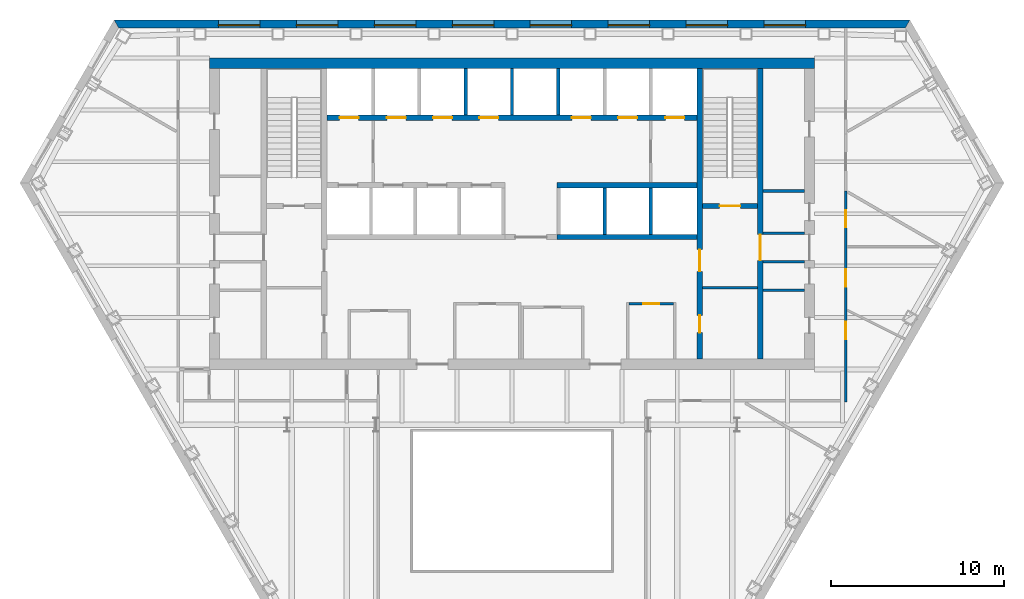
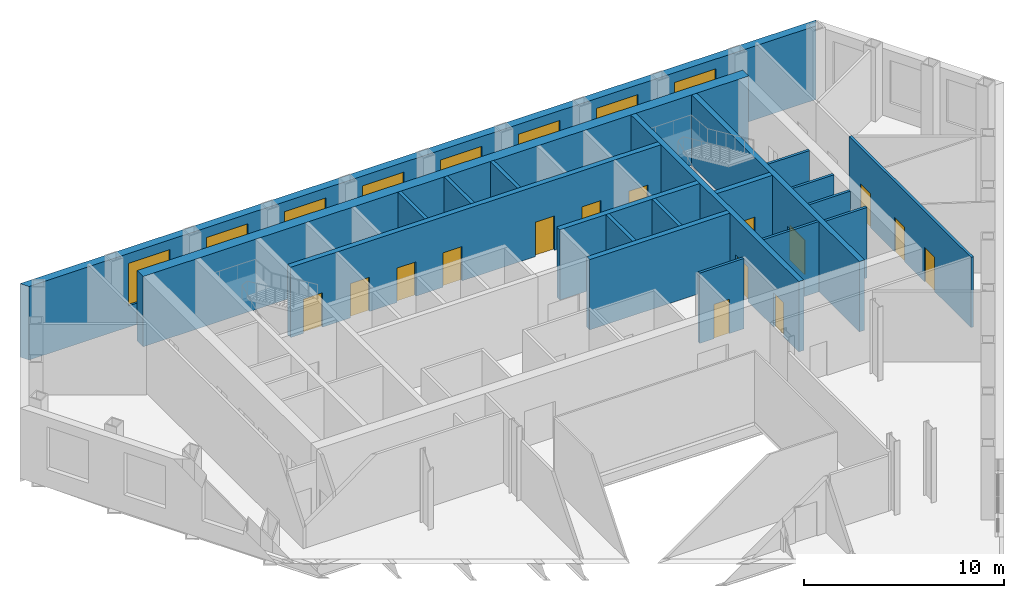
# One storey, part 7 of 11: 20 walls, 15 doors, 8 windows, 23 openings.
"""IFC4 building model written with IfcOpenShell, lengths in metres."""

from ifc_helpers import new_model, si_unit, direction, frame, frame_2d, origin, place, context, subcontext, project, spatial, polyline, rectangle, outline, extrude, material, layer, layer_set, type_object, element, fill, save


model = new_model("IFC4")

# Units and contexts
model_context = context("Model", 3, precision=1e-05, world=origin(), true_north=direction((0.0, 1.0)))
body_context = subcontext(model_context, "Body", "Model", "MODEL_VIEW")
ifc_project = project(units=[si_unit("LENGTHUNIT", "METRE"), si_unit("AREAUNIT", "SQUARE_METRE"), si_unit("VOLUMEUNIT", "CUBIC_METRE"), si_unit("PLANEANGLEUNIT", "RADIAN"), si_unit("MASSUNIT", "GRAM", prefix="KILO")], contexts=[model_context])

# Site, building, storey
site_placement = place(None, origin())
site = spatial("IfcSite", under=ifc_project, at=site_placement, CompositionType="ELEMENT")
building_placement = place(site_placement, origin())
building = spatial("IfcBuilding", under=site, at=building_placement, Name="Njiva Tower", CompositionType="ELEMENT")
storey_placement = place(building_placement, frame((0.0, 0.0, 69.3)))
storey = spatial("IfcBuildingStorey", under=building, at=storey_placement, Name="L14", CompositionType="ELEMENT", Elevation=69.3)

# Walls
ifc_material_1 = material(Name="Blockwork", Category="masonry")
ifc_layer_1 = layer(ifc_material_1, 0.15)
ifc_layer_set_1 = layer_set([ifc_layer_1], Name="Blockwork")
wall_type_1 = type_object("IfcWallType", Name="WT1 Compartment partition 150", PredefinedType="PARTITIONING", material=ifc_layer_set_1)
wall_1_placement = place(storey_placement, frame((11.0, 4.725, 0.0), z_axis=(0.0, 0.0, 1.0), x_axis=(1.0, 0.0, 0.0)))
element("IfcWall", 1, at=wall_1_placement, inside=storey, type_object=wall_type_1, Name="Room wall B", PredefinedType="PARTITIONING", context=body_context, shape_type="SweptSolid", body=[
    extrude(rectangle(XDim=3.2, YDim=0.15, at=frame_2d((1.6, 0.0))), origin(), (0.0, 0.0, 1.0), 4.3),
])
wall_2_placement = place(storey_placement, frame((14.5, 10.3166, 0.0), z_axis=(0.0, 0.0, 1.0), x_axis=(1.0, 0.0, 0.0)))
element("IfcWall", 2, at=wall_2_placement, inside=storey, type_object=wall_type_1, Name="Partition strip E10", PredefinedType="PARTITIONING", context=body_context, shape_type="SweptSolid", body=[
    extrude(rectangle(XDim=2.4, YDim=0.15, at=frame_2d((1.2, 0.0))), origin(), (0.0, 0.0, 1.0), 4.3),
])

# Wall, opening, door
wall_3_placement = place(storey_placement, frame((6.775, 3.8, 0.0), z_axis=(0.0, 0.0, 1.0), x_axis=(1.0, 0.0, 0.0)))
wall_3 = element("IfcWall", 3, at=wall_3_placement, inside=storey, type_object=wall_type_1, Name="Waiting room wall north", PredefinedType="PARTITIONING", context=body_context, shape_type="SweptSolid", body=[
    extrude(rectangle(XDim=2.55, YDim=0.15, at=frame_2d((1.275, 0.0))), origin(), (0.0, 0.0, 1.0), 4.3),
])
opening_1_placement = place(wall_3_placement, frame((0.825, 0.0, 0.0)))
opening_1 = element("IfcOpeningElement", 4, at=opening_1_placement, cuts=wall_3, Name="Opening S05-D935", PredefinedType="OPENING", context=body_context, shape_type="SweptSolid", body=[
    extrude(rectangle(XDim=0.9, YDim=2.1, at=frame_2d((0.45, 1.05))), frame((0.0, 0.085, 0.0), z_axis=(0.0, -1.0, 0.0), x_axis=(1.0, 0.0, 0.0)), (0.0, 0.0, 1.0), 0.17),
])
ifc_material_2 = material(Name="Steel fire door, painted", Category="steel")
door_type_1 = type_object("IfcDoorType", Name="D6 Fire-rated door 900x2100", OperationType="SINGLE_SWING_LEFT", PredefinedType="DOOR", material=ifc_material_2)
door_1_placement = place(opening_1_placement, origin())
door_1 = element("IfcDoor", 5, at=door_1_placement, inside=storey, type_object=door_type_1, Name="Waiting room door", OperationType="SINGLE_SWING_RIGHT", OverallHeight=2.1, OverallWidth=0.9, PredefinedType="DOOR", context=body_context, shape_type="SweptSolid", body=[
    extrude(rectangle(XDim=0.9, YDim=2.1, at=frame_2d((0.45, 1.05))), frame((0.0, 0.025, 0.0), z_axis=(0.0, -1.0, 0.0), x_axis=(1.0, 0.0, 0.0)), (0.0, 0.0, 1.0), 0.05),
])
fill(opening_1, door_1)

# Wall, openings, doors
ifc_material_3 = material(Name="Concrete C40/50", Category="concrete")
ifc_layer_2 = layer(ifc_material_3, 0.3)
ifc_layer_set_2 = layer_set([ifc_layer_2], Name="Concrete C40/50")
wall_type_2 = type_object("IfcWallType", Name="WT10 Stair enclosure wall 300", PredefinedType="SHEAR", material=ifc_layer_set_2)
wall_4_placement = place(storey_placement, frame((10.85, 0.6, 0.0), z_axis=(0.0, 0.0, 1.0), x_axis=(0.0, 1.0, 0.0)))
wall_4 = element("IfcWall", 6, at=wall_4_placement, inside=storey, type_object=wall_type_2, Name="Stair wall east inner", PredefinedType="SHEAR", context=body_context, shape_type="SweptSolid", body=[
    extrude(rectangle(XDim=16.8, YDim=0.3, at=frame_2d((8.4, 0.0))), origin(), (0.0, 0.0, 1.0), 4.3),
])
opening_2_placement = place(wall_4_placement, frame((5.075, 0.0, 0.0)))
opening_2 = element("IfcOpeningElement", 7, at=opening_2_placement, cuts=wall_4, Name="Opening S05-D918", PredefinedType="OPENING", context=body_context, shape_type="SweptSolid", body=[
    extrude(rectangle(XDim=1.25, YDim=2.1, at=frame_2d((0.625, 1.05))), frame((0.0, 0.16, 0.0), z_axis=(0.0, -1.0, 0.0), x_axis=(1.0, 0.0, 0.0)), (0.0, 0.0, 1.0), 0.32),
])
opening_3_placement = place(wall_4_placement, frame((1.525, 0.0, 0.0)))
opening_3 = element("IfcOpeningElement", 8, at=opening_3_placement, cuts=wall_4, Name="Opening S05-D919", PredefinedType="OPENING", context=body_context, shape_type="SweptSolid", body=[
    extrude(rectangle(XDim=1.0, YDim=2.1, at=frame_2d((0.5, 1.05))), frame((0.0, 0.16, 0.0), z_axis=(0.0, -1.0, 0.0), x_axis=(1.0, 0.0, 0.0)), (0.0, 0.0, 1.0), 0.32),
])
ifc_material_4 = material(Name="Steel door, painted", Category="steel")
door_type_2 = type_object("IfcDoorType", Name="D5 Steel door 1000x2100", OperationType="SINGLE_SWING_LEFT", PredefinedType="DOOR", material=ifc_material_4)
door_2_placement = place(opening_3_placement, origin())
door_2 = element("IfcDoor", 9, at=door_2_placement, inside=storey, type_object=door_type_2, Name="Quiet room door", OperationType="SINGLE_SWING_LEFT", OverallHeight=2.1, OverallWidth=1.0, PredefinedType="DOOR", context=body_context, shape_type="SweptSolid", body=[
    extrude(rectangle(XDim=1.0, YDim=2.1, at=frame_2d((0.5, 1.05))), frame((0.0, 0.025, 0.0), z_axis=(0.0, -1.0, 0.0), x_axis=(1.0, 0.0, 0.0)), (0.0, 0.0, 1.0), 0.05),
])
fill(opening_3, door_2)
ifc_material_5 = material(Name="Glazed steel fire door", Category="steel")
door_type_3 = type_object("IfcDoorType", Name="D8 Vestibule corridor door 1250x2100 glazed", OperationType="SINGLE_SWING_LEFT", PredefinedType="DOOR", material=ifc_material_5)
door_3_placement = place(opening_2_placement, origin())
door_3 = element("IfcDoor", 10, at=door_3_placement, inside=storey, type_object=door_type_3, Name="Stair vestibule corridor door", OperationType="SINGLE_SWING_RIGHT", OverallHeight=2.1, OverallWidth=1.25, PredefinedType="DOOR", context=body_context, shape_type="SweptSolid", body=[
    extrude(rectangle(XDim=1.25, YDim=2.1, at=frame_2d((0.625, 1.05))), frame((0.0, 0.025, 0.0), z_axis=(0.0, -1.0, 0.0), x_axis=(1.0, 0.0, 0.0)), (0.0, 0.0, 1.0), 0.05),
])
fill(opening_2, door_3)

# Wall, opening, door
wall_5_placement = place(storey_placement, frame((14.35, 0.6, 0.0), z_axis=(0.0, 0.0, 1.0), x_axis=(0.0, 1.0, 0.0)))
wall_5 = element("IfcWall", 11, at=wall_5_placement, inside=storey, type_object=wall_type_2, Name="Stair wall east outer", PredefinedType="SHEAR", context=body_context, shape_type="SweptSolid", body=[
    extrude(rectangle(XDim=16.8, YDim=0.3, at=frame_2d((8.4, 0.0))), origin(), (0.0, 0.0, 1.0), 4.3),
])
opening_4_placement = place(wall_5_placement, frame((5.7, 0.0, 0.0)))
opening_4 = element("IfcOpeningElement", 12, at=opening_4_placement, cuts=wall_5, Name="Opening S05-D926", PredefinedType="OPENING", context=body_context, shape_type="SweptSolid", body=[
    extrude(rectangle(XDim=1.5, YDim=2.1, at=frame_2d((0.75, 1.05))), frame((0.0, 0.16, 0.0), z_axis=(0.0, -1.0, 0.0), x_axis=(1.0, 0.0, 0.0)), (0.0, 0.0, 1.0), 0.32),
])
door_type_4 = type_object("IfcDoorType", Name="D10 Exit door double 1500x2100 glazed", OperationType="DOUBLE_DOOR_SINGLE_SWING", PredefinedType="DOOR", material=ifc_material_5)
door_4_placement = place(opening_4_placement, origin())
door_4 = element("IfcDoor", 13, at=door_4_placement, inside=storey, type_object=door_type_4, Name="Stair B passage door", OperationType="DOUBLE_DOOR_SINGLE_SWING", OverallHeight=2.1, OverallWidth=1.5, PredefinedType="DOOR", context=body_context, shape_type="SweptSolid", body=[
    extrude(rectangle(XDim=1.5, YDim=2.1, at=frame_2d((0.75, 1.05))), frame((0.0, 0.025, 0.0), z_axis=(0.0, -1.0, 0.0), x_axis=(1.0, 0.0, 0.0)), (0.0, 0.0, 1.0), 0.05),
])
fill(opening_4, door_4)

wall_6_placement = place(storey_placement, frame((11.0, 9.45, 0.0), z_axis=(0.0, 0.0, 1.0), x_axis=(1.0, 0.0, 0.0)))
wall_6 = element("IfcWall", 14, at=wall_6_placement, inside=storey, type_object=wall_type_2, Name="Stair B south wall", PredefinedType="SHEAR", context=body_context, shape_type="SweptSolid", body=[
    extrude(rectangle(XDim=3.2, YDim=0.3, at=frame_2d((1.6, 0.0))), origin(), (0.0, 0.0, 1.0), 4.3),
])
opening_5_placement = place(wall_6_placement, frame((1.0, 0.0, 0.0)))
opening_5 = element("IfcOpeningElement", 15, at=opening_5_placement, cuts=wall_6, Name="Opening S05-D917", PredefinedType="OPENING", context=body_context, shape_type="SweptSolid", body=[
    extrude(rectangle(XDim=1.2, YDim=2.1, at=frame_2d((0.6, 1.05))), frame((0.0, 0.16, 0.0), z_axis=(0.0, -1.0, 0.0), x_axis=(1.0, 0.0, 0.0)), (0.0, 0.0, 1.0), 0.32),
])
door_type_5 = type_object("IfcDoorType", Name="D7 Stair vestibule door 1200x2100 glazed", OperationType="SINGLE_SWING_LEFT", PredefinedType="DOOR", material=ifc_material_5)
door_5_placement = place(opening_5_placement, origin())
door_5 = element("IfcDoor", 16, at=door_5_placement, inside=storey, type_object=door_type_5, Name="Stair B door", OperationType="SINGLE_SWING_LEFT", OverallHeight=2.1, OverallWidth=1.2, PredefinedType="DOOR", context=body_context, shape_type="SweptSolid", body=[
    extrude(rectangle(XDim=1.2, YDim=2.1, at=frame_2d((0.6, 1.05))), frame((0.0, 0.025, 0.0), z_axis=(0.0, -1.0, 0.0), x_axis=(1.0, 0.0, 0.0)), (0.0, 0.0, 1.0), 0.05),
])
fill(opening_5, door_5)

# Wall
ifc_material_6 = material(Name="Concrete C60/75", Category="concrete")
ifc_layer_3 = layer(ifc_material_6, 0.6)
ifc_layer_set_3 = layer_set([ifc_layer_3], Name="Concrete C60/75")
wall_type_3 = type_object("IfcWallType", Name="WT15 Core wall 600", PredefinedType="SHEAR", material=ifc_layer_set_3)
wall_7_placement = place(storey_placement, frame((-17.5, 17.7, 0.0), z_axis=(0.0, 0.0, 1.0), x_axis=(1.0, 0.0, 0.0)))
element("IfcWall", 17, at=wall_7_placement, inside=storey, type_object=wall_type_3, Name="Core wall north", PredefinedType="SHEAR", context=body_context, shape_type="SweptSolid", body=[
    extrude(rectangle(XDim=35.0, YDim=0.6, at=frame_2d((17.5, 0.0))), origin(), (0.0, 0.0, 1.0), 4.3),
])

# Wall, openings, doors
ifc_material_7 = material(Name="Gypsum board on steel studs", Category="gypsum")
ifc_layer_4 = layer(ifc_material_7, 0.15)
ifc_layer_set_4 = layer_set([ifc_layer_4], Name="Gypsum board on steel studs")
wall_type_4 = type_object("IfcWallType", Name="WT21 Compartment wall 150", PredefinedType="PARTITIONING", material=ifc_layer_set_4)
wall_8_placement = place(storey_placement, frame((19.3, -1.875, 0.0), z_axis=(0.0, 0.0, 1.0), x_axis=(0.0, 1.0, 0.0)))
wall_8 = element("IfcWall", 18, at=wall_8_placement, inside=storey, type_object=wall_type_4, Name="Partition S05-P015", PredefinedType="PARTITIONING", context=body_context, shape_type="SweptSolid", body=[
    extrude(rectangle(XDim=12.202, YDim=0.15, at=frame_2d((6.101, 0.0))), origin(), (0.0, 0.0, 1.0), 4.3),
])
opening_6_placement = place(wall_8_placement, frame((3.634, 0.0, 0.0)))
opening_6 = element("IfcOpeningElement", 19, at=opening_6_placement, cuts=wall_8, Name="Opening S05-D009", PredefinedType="OPENING", context=body_context, shape_type="SweptSolid", body=[
    extrude(rectangle(XDim=1.0, YDim=2.1, at=frame_2d((0.5, 1.05))), frame((0.0, 0.085, 0.0), z_axis=(0.0, -1.0, 0.0), x_axis=(1.0, 0.0, 0.0)), (0.0, 0.0, 1.0), 0.17),
])
opening_7_placement = place(wall_8_placement, frame((6.658, 0.0, 0.0)))
opening_7 = element("IfcOpeningElement", 20, at=opening_7_placement, cuts=wall_8, Name="Opening S05-D010", PredefinedType="OPENING", context=body_context, shape_type="SweptSolid", body=[
    extrude(rectangle(XDim=1.0, YDim=2.1, at=frame_2d((0.5, 1.05))), frame((0.0, 0.085, 0.0), z_axis=(0.0, -1.0, 0.0), x_axis=(1.0, 0.0, 0.0)), (0.0, 0.0, 1.0), 0.17),
])
opening_8_placement = place(wall_8_placement, frame((10.081, 0.0, 0.0)))
opening_8 = element("IfcOpeningElement", 21, at=opening_8_placement, cuts=wall_8, Name="Opening S05-D011", PredefinedType="OPENING", context=body_context, shape_type="SweptSolid", body=[
    extrude(rectangle(XDim=1.0, YDim=2.1, at=frame_2d((0.5, 1.05))), frame((0.0, 0.085, 0.0), z_axis=(0.0, -1.0, 0.0), x_axis=(1.0, 0.0, 0.0)), (0.0, 0.0, 1.0), 0.17),
])
ifc_material_8 = material(Name="Steel fire door set", Category="steel")
door_type_6 = type_object("IfcDoorType", Name="D37 Fire door 1000x2100", OperationType="SINGLE_SWING_LEFT", PredefinedType="DOOR", material=ifc_material_8)
door_6_placement = place(opening_6_placement, origin())
door_6 = element("IfcDoor", 22, at=door_6_placement, inside=storey, type_object=door_type_6, Name="Door S05-D009", OperationType="SINGLE_SWING_LEFT", OverallHeight=2.1, OverallWidth=1.0, PredefinedType="DOOR", context=body_context, shape_type="SweptSolid", body=[
    extrude(rectangle(XDim=1.0, YDim=2.1, at=frame_2d((0.5, 1.05))), frame((0.0, 0.025, 0.0), z_axis=(0.0, -1.0, 0.0), x_axis=(1.0, 0.0, 0.0)), (0.0, 0.0, 1.0), 0.05),
])
fill(opening_6, door_6)
door_7_placement = place(opening_7_placement, origin())
door_7 = element("IfcDoor", 23, at=door_7_placement, inside=storey, type_object=door_type_6, Name="Door S05-D010", OperationType="SINGLE_SWING_RIGHT", OverallHeight=2.1, OverallWidth=1.0, PredefinedType="DOOR", context=body_context, shape_type="SweptSolid", body=[
    extrude(rectangle(XDim=1.0, YDim=2.1, at=frame_2d((0.5, 1.05))), frame((0.0, 0.025, 0.0), z_axis=(0.0, -1.0, 0.0), x_axis=(1.0, 0.0, 0.0)), (0.0, 0.0, 1.0), 0.05),
])
fill(opening_7, door_7)
door_8_placement = place(opening_8_placement, origin())
door_8 = element("IfcDoor", 24, at=door_8_placement, inside=storey, type_object=door_type_6, Name="Door S05-D011", OperationType="SINGLE_SWING_RIGHT", OverallHeight=2.1, OverallWidth=1.0, PredefinedType="DOOR", context=body_context, shape_type="SweptSolid", body=[
    extrude(rectangle(XDim=1.0, YDim=2.1, at=frame_2d((0.5, 1.05))), frame((0.0, 0.025, 0.0), z_axis=(0.0, -1.0, 0.0), x_axis=(1.0, 0.0, 0.0)), (0.0, 0.0, 1.0), 0.05),
])
fill(opening_8, door_8)

# Walls
ifc_layer_5 = layer(ifc_material_1, 0.15)
ifc_layer_set_5 = layer_set([ifc_layer_5], Name="Blockwork")
wall_type_5 = type_object("IfcWallType", Name="WT3 Riser partition 150", PredefinedType="PARTITIONING", material=ifc_layer_set_5)
wall_9_placement = place(storey_placement, frame((14.5, 4.575, 0.0), z_axis=(0.0, 0.0, 1.0), x_axis=(1.0, 0.0, 0.0)))
element("IfcWall", 25, at=wall_9_placement, inside=storey, type_object=wall_type_5, Name="Partition strip E00", PredefinedType="PARTITIONING", context=body_context, shape_type="SweptSolid", body=[
    extrude(rectangle(XDim=2.4, YDim=0.15, at=frame_2d((1.2, 0.0))), origin(), (0.0, 0.0, 1.0), 4.3),
])
ifc_layer_6 = layer(ifc_material_1, 0.15)
ifc_layer_set_6 = layer_set([ifc_layer_6], Name="Blockwork")
wall_type_6 = type_object("IfcWallType", Name="WT4 Stair partition 150", PredefinedType="PARTITIONING", material=ifc_layer_set_6)
for number, where, z_axis, x_axis, name in (
    (26, (14.5, 6.225, 0.0), (0.0, 0.0, 1.0), (1.0, 0.0, 0.0), "Stair B exit passage wall south"),
    (27, (14.5, 7.875, 0.0), (0.0, 0.0, 1.0), (1.0, 0.0, 0.0), "Stair B exit passage wall north"),
):
    element("IfcWall", number, at=place(storey_placement, frame(where, z_axis=z_axis, x_axis=x_axis)), inside=storey, type_object=wall_type_6, Name=name, PredefinedType="PARTITIONING", context=body_context, shape_type="SweptSolid", body=[
        extrude(rectangle(XDim=2.4, YDim=0.15, at=frame_2d((1.2, 0.0))), origin(), (0.0, 0.0, 1.0), 4.3),
    ])
ifc_layer_7 = layer(ifc_material_3, 0.2)
ifc_layer_set_7 = layer_set([ifc_layer_7], Name="Concrete C40/50")
wall_type_7 = type_object("IfcWallType", Name="WT6 Lift shaft wall 200", PredefinedType="SHEAR", material=ifc_layer_set_7)
for number, where, z_axis, x_axis, name in (
    (28, (-2.675, 14.7, 0.0), (0.0, 0.0, 1.0), (0.0, 1.0, 0.0), "Shaft wall CN3"),
    (29, (0.0, 14.7, 0.0), (0.0, 0.0, 1.0), (0.0, 1.0, 0.0), "Shaft wall CN4"),
    (30, (2.675, 14.7, 0.0), (0.0, 0.0, 1.0), (0.0, 1.0, 0.0), "Shaft wall CN5"),
    (31, (5.3667, 7.8, 0.0), (0.0, 0.0, 1.0), (0.0, 1.0, 0.0), "Shaft wall CS6"),
    (32, (8.0333, 7.8, 0.0), (0.0, 0.0, 1.0), (0.0, 1.0, 0.0), "Shaft wall CS7"),
):
    element("IfcWall", number, at=place(storey_placement, frame(where, z_axis=z_axis, x_axis=x_axis)), inside=storey, type_object=wall_type_7, Name=name, PredefinedType="SHEAR", context=body_context, shape_type="SweptSolid", body=[
        extrude(rectangle(XDim=2.7, YDim=0.2, at=frame_2d((1.35, 0.0))), origin(), (0.0, 0.0, 1.0), 4.3),
    ])

# Wall, openings, doors
ifc_layer_8 = layer(ifc_material_3, 0.3)
ifc_layer_set_8 = layer_set([ifc_layer_8], Name="Concrete C40/50")
wall_type_8 = type_object("IfcWallType", Name="WT7 Lift shaft wall 300", PredefinedType="SHEAR", material=ifc_layer_set_8)
wall_10_placement = place(storey_placement, frame((-10.7, 14.55, 0.0), z_axis=(0.0, 0.0, 1.0), x_axis=(1.0, 0.0, 0.0)))
wall_10 = element("IfcWall", 33, at=wall_10_placement, inside=storey, type_object=wall_type_8, Name="Shaft wall north row lobby side", PredefinedType="SHEAR", context=body_context, shape_type="SweptSolid", body=[
    extrude(rectangle(XDim=21.4, YDim=0.3, at=frame_2d((10.7, 0.0))), origin(), (0.0, 0.0, 1.0), 4.3),
])
opening_9_placement = place(wall_10_placement, frame((0.7375, 0.0, 0.0)))
opening_9 = element("IfcOpeningElement", 34, at=opening_9_placement, cuts=wall_10, Name="Opening S05-D901", PredefinedType="OPENING", context=body_context, shape_type="SweptSolid", body=[
    extrude(rectangle(XDim=1.1, YDim=2.1, at=frame_2d((0.55, 1.05))), frame((0.0, 0.16, 0.0), z_axis=(0.0, -1.0, 0.0), x_axis=(1.0, 0.0, 0.0)), (0.0, 0.0, 1.0), 0.32),
])
opening_10_placement = place(wall_10_placement, frame((3.4625, 0.0, 0.0)))
opening_10 = element("IfcOpeningElement", 35, at=opening_10_placement, cuts=wall_10, Name="Opening S05-D902", PredefinedType="OPENING", context=body_context, shape_type="SweptSolid", body=[
    extrude(rectangle(XDim=1.1, YDim=2.1, at=frame_2d((0.55, 1.05))), frame((0.0, 0.16, 0.0), z_axis=(0.0, -1.0, 0.0), x_axis=(1.0, 0.0, 0.0)), (0.0, 0.0, 1.0), 0.32),
])
opening_11_placement = place(wall_10_placement, frame((6.1375, 0.0, 0.0)))
opening_11 = element("IfcOpeningElement", 36, at=opening_11_placement, cuts=wall_10, Name="Opening S05-D903", PredefinedType="OPENING", context=body_context, shape_type="SweptSolid", body=[
    extrude(rectangle(XDim=1.1, YDim=2.1, at=frame_2d((0.55, 1.05))), frame((0.0, 0.16, 0.0), z_axis=(0.0, -1.0, 0.0), x_axis=(1.0, 0.0, 0.0)), (0.0, 0.0, 1.0), 0.32),
])
opening_12_placement = place(wall_10_placement, frame((8.8125, 0.0, 0.0)))
opening_12 = element("IfcOpeningElement", 37, at=opening_12_placement, cuts=wall_10, Name="Opening S05-D904", PredefinedType="OPENING", context=body_context, shape_type="SweptSolid", body=[
    extrude(rectangle(XDim=1.1, YDim=2.1, at=frame_2d((0.55, 1.05))), frame((0.0, 0.16, 0.0), z_axis=(0.0, -1.0, 0.0), x_axis=(1.0, 0.0, 0.0)), (0.0, 0.0, 1.0), 0.32),
])
opening_13_placement = place(wall_10_placement, frame((14.1625, 0.0, 0.0)))
opening_13 = element("IfcOpeningElement", 38, at=opening_13_placement, cuts=wall_10, Name="Opening S05-D905", PredefinedType="OPENING", context=body_context, shape_type="SweptSolid", body=[
    extrude(rectangle(XDim=1.1, YDim=2.1, at=frame_2d((0.55, 1.05))), frame((0.0, 0.16, 0.0), z_axis=(0.0, -1.0, 0.0), x_axis=(1.0, 0.0, 0.0)), (0.0, 0.0, 1.0), 0.32),
])
opening_14_placement = place(wall_10_placement, frame((16.8375, 0.0, 0.0)))
opening_14 = element("IfcOpeningElement", 39, at=opening_14_placement, cuts=wall_10, Name="Opening S05-D906", PredefinedType="OPENING", context=body_context, shape_type="SweptSolid", body=[
    extrude(rectangle(XDim=1.1, YDim=2.1, at=frame_2d((0.55, 1.05))), frame((0.0, 0.16, 0.0), z_axis=(0.0, -1.0, 0.0), x_axis=(1.0, 0.0, 0.0)), (0.0, 0.0, 1.0), 0.32),
])
opening_15_placement = place(wall_10_placement, frame((19.5625, 0.0, 0.0)))
opening_15 = element("IfcOpeningElement", 40, at=opening_15_placement, cuts=wall_10, Name="Opening S05-D907", PredefinedType="OPENING", context=body_context, shape_type="SweptSolid", body=[
    extrude(rectangle(XDim=1.1, YDim=2.1, at=frame_2d((0.55, 1.05))), frame((0.0, 0.16, 0.0), z_axis=(0.0, -1.0, 0.0), x_axis=(1.0, 0.0, 0.0)), (0.0, 0.0, 1.0), 0.32),
])
ifc_material_9 = material(Name="Stainless steel sliding door", Category="steel")
door_type_7 = type_object("IfcDoorType", Name="LD Lift landing door 1100x2100", OperationType="SLIDING_TO_LEFT", PredefinedType="DOOR", material=ifc_material_9)
door_9_placement = place(opening_9_placement, origin())
door_9 = element("IfcDoor", 41, at=door_9_placement, inside=storey, type_object=door_type_7, Name="Lift landing door FF1", OperationType="SLIDING_TO_LEFT", OverallHeight=2.1, OverallWidth=1.1, PredefinedType="DOOR", context=body_context, shape_type="SweptSolid", body=[
    extrude(rectangle(XDim=1.1, YDim=2.1, at=frame_2d((0.55, 1.05))), frame((0.0, 0.025, 0.0), z_axis=(0.0, -1.0, 0.0), x_axis=(1.0, 0.0, 0.0)), (0.0, 0.0, 1.0), 0.05),
])
fill(opening_9, door_9)
door_10_placement = place(opening_10_placement, origin())
door_10 = element("IfcDoor", 42, at=door_10_placement, inside=storey, type_object=door_type_7, Name="Lift landing door LB1", OperationType="SLIDING_TO_LEFT", OverallHeight=2.1, OverallWidth=1.1, PredefinedType="DOOR", context=body_context, shape_type="SweptSolid", body=[
    extrude(rectangle(XDim=1.1, YDim=2.1, at=frame_2d((0.55, 1.05))), frame((0.0, 0.025, 0.0), z_axis=(0.0, -1.0, 0.0), x_axis=(1.0, 0.0, 0.0)), (0.0, 0.0, 1.0), 0.05),
])
fill(opening_10, door_10)
door_11_placement = place(opening_11_placement, origin())
door_11 = element("IfcDoor", 43, at=door_11_placement, inside=storey, type_object=door_type_7, Name="Lift landing door LB2", OperationType="SLIDING_TO_LEFT", OverallHeight=2.1, OverallWidth=1.1, PredefinedType="DOOR", context=body_context, shape_type="SweptSolid", body=[
    extrude(rectangle(XDim=1.1, YDim=2.1, at=frame_2d((0.55, 1.05))), frame((0.0, 0.025, 0.0), z_axis=(0.0, -1.0, 0.0), x_axis=(1.0, 0.0, 0.0)), (0.0, 0.0, 1.0), 0.05),
])
fill(opening_11, door_11)
door_12_placement = place(opening_12_placement, origin())
door_12 = element("IfcDoor", 44, at=door_12_placement, inside=storey, type_object=door_type_7, Name="Lift landing door LB3", OperationType="SLIDING_TO_LEFT", OverallHeight=2.1, OverallWidth=1.1, PredefinedType="DOOR", context=body_context, shape_type="SweptSolid", body=[
    extrude(rectangle(XDim=1.1, YDim=2.1, at=frame_2d((0.55, 1.05))), frame((0.0, 0.025, 0.0), z_axis=(0.0, -1.0, 0.0), x_axis=(1.0, 0.0, 0.0)), (0.0, 0.0, 1.0), 0.05),
])
fill(opening_12, door_12)
door_13_placement = place(opening_13_placement, origin())
door_13 = element("IfcDoor", 45, at=door_13_placement, inside=storey, type_object=door_type_7, Name="Lift landing door FR1", OperationType="SLIDING_TO_LEFT", OverallHeight=2.1, OverallWidth=1.1, PredefinedType="DOOR", context=body_context, shape_type="SweptSolid", body=[
    extrude(rectangle(XDim=1.1, YDim=2.1, at=frame_2d((0.55, 1.05))), frame((0.0, 0.025, 0.0), z_axis=(0.0, -1.0, 0.0), x_axis=(1.0, 0.0, 0.0)), (0.0, 0.0, 1.0), 0.05),
])
fill(opening_13, door_13)
door_14_placement = place(opening_14_placement, origin())
door_14 = element("IfcDoor", 46, at=door_14_placement, inside=storey, type_object=door_type_7, Name="Lift landing door FR2", OperationType="SLIDING_TO_LEFT", OverallHeight=2.1, OverallWidth=1.1, PredefinedType="DOOR", context=body_context, shape_type="SweptSolid", body=[
    extrude(rectangle(XDim=1.1, YDim=2.1, at=frame_2d((0.55, 1.05))), frame((0.0, 0.025, 0.0), z_axis=(0.0, -1.0, 0.0), x_axis=(1.0, 0.0, 0.0)), (0.0, 0.0, 1.0), 0.05),
])
fill(opening_14, door_14)
door_15_placement = place(opening_15_placement, origin())
door_15 = element("IfcDoor", 47, at=door_15_placement, inside=storey, type_object=door_type_7, Name="Lift landing door FF2", OperationType="SLIDING_TO_LEFT", OverallHeight=2.1, OverallWidth=1.1, PredefinedType="DOOR", context=body_context, shape_type="SweptSolid", body=[
    extrude(rectangle(XDim=1.1, YDim=2.1, at=frame_2d((0.55, 1.05))), frame((0.0, 0.025, 0.0), z_axis=(0.0, -1.0, 0.0), x_axis=(1.0, 0.0, 0.0)), (0.0, 0.0, 1.0), 0.05),
])
fill(opening_15, door_15)

# Walls
for number, where, z_axis, x_axis, name in (
    (48, (2.6, 10.65, 0.0), (0.0, 0.0, 1.0), (1.0, 0.0, 0.0), "Shaft wall south row lobby side E"),
    (49, (2.6, 7.65, 0.0), (0.0, 0.0, 1.0), (1.0, 0.0, 0.0), "Shaft wall south row back E"),
):
    element("IfcWall", number, at=place(storey_placement, frame(where, z_axis=z_axis, x_axis=x_axis)), inside=storey, type_object=wall_type_8, Name=name, PredefinedType="SHEAR", context=body_context, shape_type="SweptSolid", body=[
        extrude(rectangle(XDim=8.1, YDim=0.3, at=frame_2d((4.05, 0.0))), origin(), (0.0, 0.0, 1.0), 4.3),
    ])

# Wall, openings, windows
ifc_material_10 = material(Name="Brick masonry", Category="masonry")
ifc_layer_9 = layer(ifc_material_10, 0.45)
ifc_layer_set_9 = layer_set([ifc_layer_9], Name="Brick masonry")
wall_type_9 = type_object("IfcWallType", Name="WT90 Brick pier and spandrel wall 450", PredefinedType="SOLIDWALL", material=ifc_layer_set_9)
wall_11_placement = place(storey_placement, frame((22.8701, 19.975, -0.4), z_axis=(0.0, 0.0, 1.0), x_axis=(-1.0, 0.0, 0.0)))
wall_11 = element("IfcWall", 50, at=wall_11_placement, inside=storey, type_object=wall_type_9, Name="Facade wall N", PredefinedType="SOLIDWALL", context=body_context, shape_type="SweptSolid", body=[
    extrude(outline(polyline([(-0.1299, -0.225), (45.8701, -0.225), (45.6103, 0.225), (0.1299, 0.225), (-0.1299, -0.225)])), origin(), (0.0, 0.0, 1.0), 4.5),
])
opening_16_placement = place(wall_11_placement, frame((5.8934, 0.0, 1.3)))
opening_16 = element("IfcOpeningElement", 51, at=opening_16_placement, cuts=wall_11, Name="Opening S05-W01", PredefinedType="OPENING", context=body_context, shape_type="SweptSolid", body=[
    extrude(rectangle(XDim=2.4, YDim=2.6, at=frame_2d((1.2, 1.3))), frame((0.0, 0.235, 0.0), z_axis=(0.0, -1.0, 0.0), x_axis=(1.0, 0.0, 0.0)), (0.0, 0.0, 1.0), 0.47),
])
opening_17_placement = place(wall_11_placement, frame((10.401, 0.0, 1.3)))
opening_17 = element("IfcOpeningElement", 52, at=opening_17_placement, cuts=wall_11, Name="Opening S05-W02", PredefinedType="OPENING", context=body_context, shape_type="SweptSolid", body=[
    extrude(rectangle(XDim=2.4, YDim=2.6, at=frame_2d((1.2, 1.3))), frame((0.0, 0.235, 0.0), z_axis=(0.0, -1.0, 0.0), x_axis=(1.0, 0.0, 0.0)), (0.0, 0.0, 1.0), 0.47),
])
opening_18_placement = place(wall_11_placement, frame((14.9087, 0.0, 1.3)))
opening_18 = element("IfcOpeningElement", 53, at=opening_18_placement, cuts=wall_11, Name="Opening S05-W03", PredefinedType="OPENING", context=body_context, shape_type="SweptSolid", body=[
    extrude(rectangle(XDim=2.4, YDim=2.6, at=frame_2d((1.2, 1.3))), frame((0.0, 0.235, 0.0), z_axis=(0.0, -1.0, 0.0), x_axis=(1.0, 0.0, 0.0)), (0.0, 0.0, 1.0), 0.47),
])
opening_19_placement = place(wall_11_placement, frame((19.4163, 0.0, 1.3)))
opening_19 = element("IfcOpeningElement", 54, at=opening_19_placement, cuts=wall_11, Name="Opening S05-W04", PredefinedType="OPENING", context=body_context, shape_type="SweptSolid", body=[
    extrude(rectangle(XDim=2.4, YDim=2.6, at=frame_2d((1.2, 1.3))), frame((0.0, 0.235, 0.0), z_axis=(0.0, -1.0, 0.0), x_axis=(1.0, 0.0, 0.0)), (0.0, 0.0, 1.0), 0.47),
])
opening_20_placement = place(wall_11_placement, frame((23.9239, 0.0, 1.3)))
opening_20 = element("IfcOpeningElement", 55, at=opening_20_placement, cuts=wall_11, Name="Opening S05-W05", PredefinedType="OPENING", context=body_context, shape_type="SweptSolid", body=[
    extrude(rectangle(XDim=2.4, YDim=2.6, at=frame_2d((1.2, 1.3))), frame((0.0, 0.235, 0.0), z_axis=(0.0, -1.0, 0.0), x_axis=(1.0, 0.0, 0.0)), (0.0, 0.0, 1.0), 0.47),
])
opening_21_placement = place(wall_11_placement, frame((28.4315, 0.0, 1.3)))
opening_21 = element("IfcOpeningElement", 56, at=opening_21_placement, cuts=wall_11, Name="Opening S05-W06", PredefinedType="OPENING", context=body_context, shape_type="SweptSolid", body=[
    extrude(rectangle(XDim=2.4, YDim=2.6, at=frame_2d((1.2, 1.3))), frame((0.0, 0.235, 0.0), z_axis=(0.0, -1.0, 0.0), x_axis=(1.0, 0.0, 0.0)), (0.0, 0.0, 1.0), 0.47),
])
opening_22_placement = place(wall_11_placement, frame((32.9391, 0.0, 1.3)))
opening_22 = element("IfcOpeningElement", 57, at=opening_22_placement, cuts=wall_11, Name="Opening S05-W07", PredefinedType="OPENING", context=body_context, shape_type="SweptSolid", body=[
    extrude(rectangle(XDim=2.4, YDim=2.6, at=frame_2d((1.2, 1.3))), frame((0.0, 0.235, 0.0), z_axis=(0.0, -1.0, 0.0), x_axis=(1.0, 0.0, 0.0)), (0.0, 0.0, 1.0), 0.47),
])
opening_23_placement = place(wall_11_placement, frame((37.4468, 0.0, 1.3)))
opening_23 = element("IfcOpeningElement", 58, at=opening_23_placement, cuts=wall_11, Name="Opening S05-W08", PredefinedType="OPENING", context=body_context, shape_type="SweptSolid", body=[
    extrude(rectangle(XDim=2.4, YDim=2.6, at=frame_2d((1.2, 1.3))), frame((0.0, 0.235, 0.0), z_axis=(0.0, -1.0, 0.0), x_axis=(1.0, 0.0, 0.0)), (0.0, 0.0, 1.0), 0.47),
])
ifc_material_11 = material(Name="Clear glazing in aluminium frame", Category="aluminium")
window_type = type_object("IfcWindowType", Name="W92 Deep-set window 2400x2600", PartitioningType="SINGLE_PANEL", PredefinedType="WINDOW", material=ifc_material_11)
window_1_placement = place(opening_16_placement, origin())
window_1 = element("IfcWindow", 59, at=window_1_placement, inside=storey, type_object=window_type, Name="Window", OverallHeight=2.6, OverallWidth=2.4, PartitioningType="SINGLE_PANEL", PredefinedType="WINDOW", context=body_context, shape_type="SweptSolid", body=[
    extrude(rectangle(XDim=2.4, YDim=2.6, at=frame_2d((1.2, 1.3))), frame((0.0, 0.105, 0.0), z_axis=(0.0, -1.0, 0.0), x_axis=(1.0, 0.0, 0.0)), (0.0, 0.0, 1.0), 0.06),
])
fill(opening_16, window_1)
window_2_placement = place(opening_17_placement, origin())
window_2 = element("IfcWindow", 60, at=window_2_placement, inside=storey, type_object=window_type, Name="Window", OverallHeight=2.6, OverallWidth=2.4, PartitioningType="SINGLE_PANEL", PredefinedType="WINDOW", context=body_context, shape_type="SweptSolid", body=[
    extrude(rectangle(XDim=2.4, YDim=2.6, at=frame_2d((1.2, 1.3))), frame((0.0, 0.105, 0.0), z_axis=(0.0, -1.0, 0.0), x_axis=(1.0, 0.0, 0.0)), (0.0, 0.0, 1.0), 0.06),
])
fill(opening_17, window_2)
window_3_placement = place(opening_18_placement, origin())
window_3 = element("IfcWindow", 61, at=window_3_placement, inside=storey, type_object=window_type, Name="Window", OverallHeight=2.6, OverallWidth=2.4, PartitioningType="SINGLE_PANEL", PredefinedType="WINDOW", context=body_context, shape_type="SweptSolid", body=[
    extrude(rectangle(XDim=2.4, YDim=2.6, at=frame_2d((1.2, 1.3))), frame((0.0, 0.105, 0.0), z_axis=(0.0, -1.0, 0.0), x_axis=(1.0, 0.0, 0.0)), (0.0, 0.0, 1.0), 0.06),
])
fill(opening_18, window_3)
window_4_placement = place(opening_19_placement, origin())
window_4 = element("IfcWindow", 62, at=window_4_placement, inside=storey, type_object=window_type, Name="Window", OverallHeight=2.6, OverallWidth=2.4, PartitioningType="SINGLE_PANEL", PredefinedType="WINDOW", context=body_context, shape_type="SweptSolid", body=[
    extrude(rectangle(XDim=2.4, YDim=2.6, at=frame_2d((1.2, 1.3))), frame((0.0, 0.105, 0.0), z_axis=(0.0, -1.0, 0.0), x_axis=(1.0, 0.0, 0.0)), (0.0, 0.0, 1.0), 0.06),
])
fill(opening_19, window_4)
window_5_placement = place(opening_20_placement, origin())
window_5 = element("IfcWindow", 63, at=window_5_placement, inside=storey, type_object=window_type, Name="Window", OverallHeight=2.6, OverallWidth=2.4, PartitioningType="SINGLE_PANEL", PredefinedType="WINDOW", context=body_context, shape_type="SweptSolid", body=[
    extrude(rectangle(XDim=2.4, YDim=2.6, at=frame_2d((1.2, 1.3))), frame((0.0, 0.105, 0.0), z_axis=(0.0, -1.0, 0.0), x_axis=(1.0, 0.0, 0.0)), (0.0, 0.0, 1.0), 0.06),
])
fill(opening_20, window_5)
window_6_placement = place(opening_21_placement, origin())
window_6 = element("IfcWindow", 64, at=window_6_placement, inside=storey, type_object=window_type, Name="Window", OverallHeight=2.6, OverallWidth=2.4, PartitioningType="SINGLE_PANEL", PredefinedType="WINDOW", context=body_context, shape_type="SweptSolid", body=[
    extrude(rectangle(XDim=2.4, YDim=2.6, at=frame_2d((1.2, 1.3))), frame((0.0, 0.105, 0.0), z_axis=(0.0, -1.0, 0.0), x_axis=(1.0, 0.0, 0.0)), (0.0, 0.0, 1.0), 0.06),
])
fill(opening_21, window_6)
window_7_placement = place(opening_22_placement, origin())
window_7 = element("IfcWindow", 65, at=window_7_placement, inside=storey, type_object=window_type, Name="Window", OverallHeight=2.6, OverallWidth=2.4, PartitioningType="SINGLE_PANEL", PredefinedType="WINDOW", context=body_context, shape_type="SweptSolid", body=[
    extrude(rectangle(XDim=2.4, YDim=2.6, at=frame_2d((1.2, 1.3))), frame((0.0, 0.105, 0.0), z_axis=(0.0, -1.0, 0.0), x_axis=(1.0, 0.0, 0.0)), (0.0, 0.0, 1.0), 0.06),
])
fill(opening_22, window_7)
window_8_placement = place(opening_23_placement, origin())
window_8 = element("IfcWindow", 66, at=window_8_placement, inside=storey, type_object=window_type, Name="Window", OverallHeight=2.6, OverallWidth=2.4, PartitioningType="SINGLE_PANEL", PredefinedType="WINDOW", context=body_context, shape_type="SweptSolid", body=[
    extrude(rectangle(XDim=2.4, YDim=2.6, at=frame_2d((1.2, 1.3))), frame((0.0, 0.105, 0.0), z_axis=(0.0, -1.0, 0.0), x_axis=(1.0, 0.0, 0.0)), (0.0, 0.0, 1.0), 0.06),
])
fill(opening_23, window_8)

save(model, "model.ifc")
